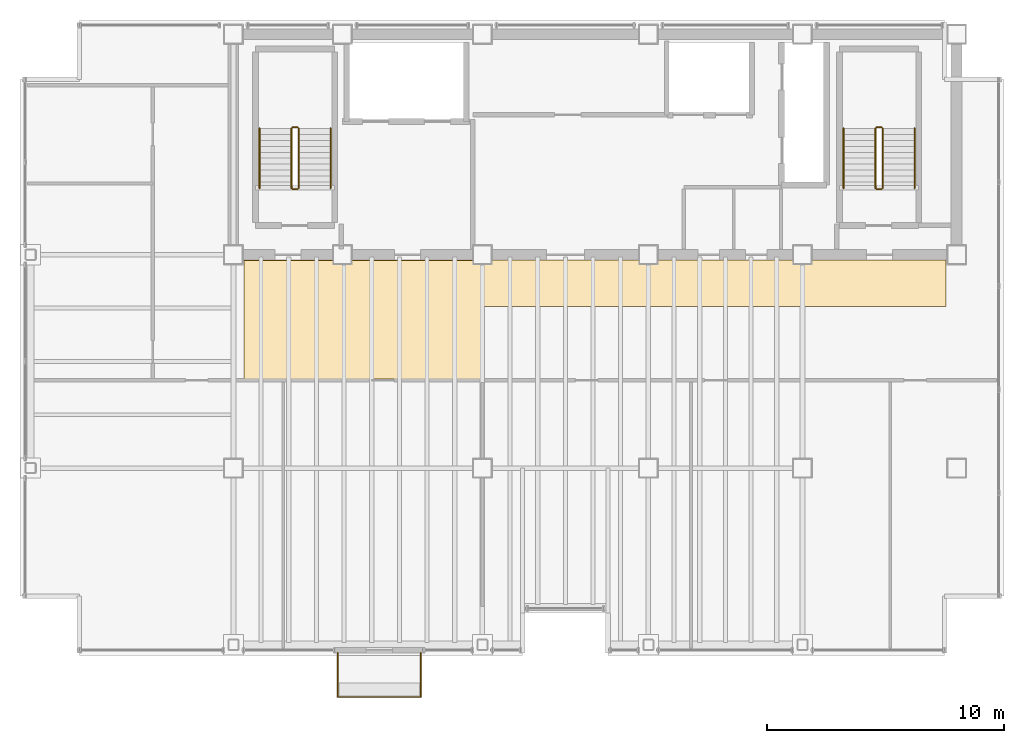
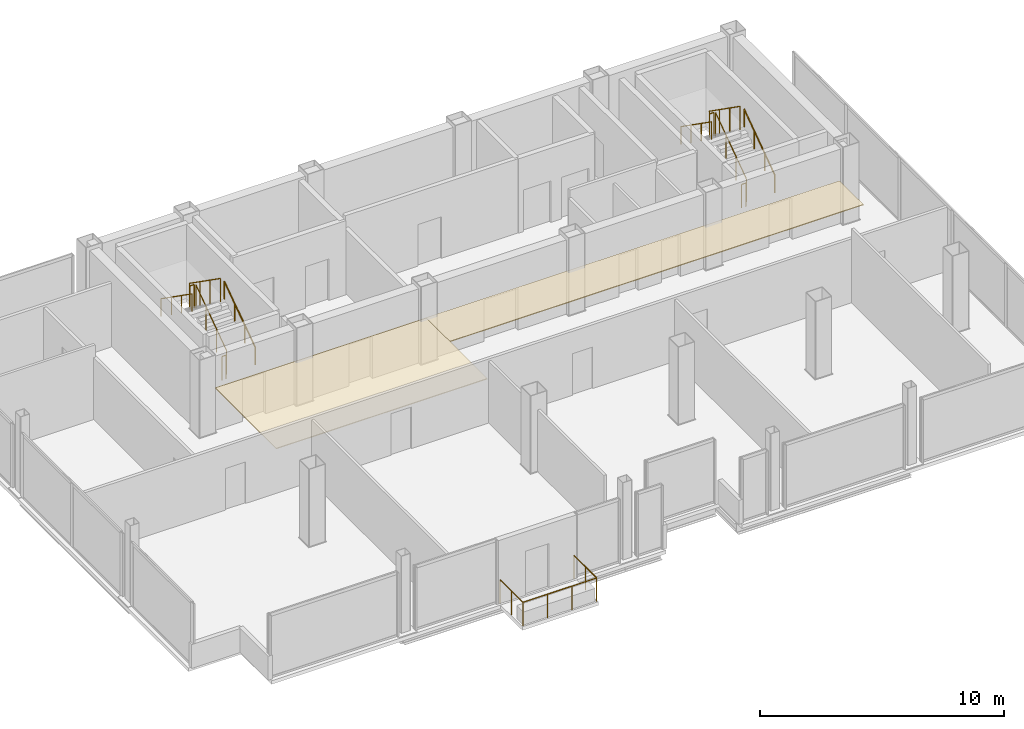
# One storey, part 16 of 16: 13 railings, 2 coverings.
"""IFC4 building model written with IfcOpenShell, lengths in metres."""

from ifc_helpers import new_model, si_unit, direction, frame, origin, origin_2d, place, context, subcontext, project, spatial, polyline, circle, outline, extrude, material, layer, layer_set, type_object, element, save


model = new_model("IFC4")

# Units and contexts
model_context = context("Model", 3, precision=1e-05, world=origin(), true_north=direction((0.0, 1.0)))
body_context = subcontext(model_context, "Body", "Model", "MODEL_VIEW")
ifc_project = project(units=[si_unit("LENGTHUNIT", "METRE"), si_unit("AREAUNIT", "SQUARE_METRE"), si_unit("VOLUMEUNIT", "CUBIC_METRE"), si_unit("PLANEANGLEUNIT", "RADIAN"), si_unit("MASSUNIT", "GRAM", prefix="KILO")], contexts=[model_context])

# Site, building, storey
site_placement = place(None, origin())
site = spatial("IfcSite", under=ifc_project, at=site_placement, CompositionType="ELEMENT")
building_placement = place(site_placement, origin())
building = spatial("IfcBuilding", under=site, at=building_placement, Name="Noeulbin Bourse Tower", CompositionType="ELEMENT")
storey_placement = place(building_placement, frame((0.0, 0.0, 238.39990234375)))
storey = spatial("IfcBuildingStorey", under=building, at=storey_placement, Name="L59", CompositionType="ELEMENT", Elevation=238.39990234375)

# Coverings
ifc_material_1 = material(Name="Perforated Mineral-Fibre Acoustic Tile")
ifc_layer_1 = layer(ifc_material_1, 0.0400390625)
ifc_layer_set_1 = layer_set([ifc_layer_1], Name="Perforated Mineral-Fibre Acoustic Tile")
covering_type_1 = type_object("IfcCoveringType", Name="COV-CEIL-ACT", PredefinedType="CEILING", material=ifc_layer_set_1)
covering_1_placement = place(storey_placement, frame((0.0, 0.0, 2.110107421875)))
element("IfcCovering", 1, at=covering_1_placement, inside=storey, type_object=covering_type_1, Name="Trading Suite Acoustic Ceiling L59", PredefinedType="CEILING", context=body_context, shape_type="SweptSolid", body=[
    extrude(outline(polyline([(13.949951171875, 23.75), (23.949951171875, 23.75), (23.949951171875, 28.75), (13.949951171875, 28.75), (13.949951171875, 23.75)])), origin(), (0.0, 0.0, 1.0), 0.0400390625),
])
ifc_material_2 = material(Name="Linear Anodised Aluminium Baffle Ceiling", Category="aluminium")
ifc_layer_2 = layer(ifc_material_2, 0.050048828125)
ifc_layer_set_2 = layer_set([ifc_layer_2], Name="Linear Anodised Aluminium Baffle Ceiling")
covering_type_2 = type_object("IfcCoveringType", Name="COV-CEIL-MTL", PredefinedType="CEILING", material=ifc_layer_set_2)
covering_2_placement = place(storey_placement, frame((0.0, 0.0, 2.110107421875)))
element("IfcCovering", 2, at=covering_2_placement, inside=storey, type_object=covering_type_2, Name="Corridor Suspended Ceiling L59", PredefinedType="CEILING", context=body_context, shape_type="SweptSolid", body=[
    extrude(outline(polyline([(13.949951171875, 26.820068359375), (43.550048828125, 26.820068359375), (43.550048828125, 28.780029296875), (13.949951171875, 28.780029296875), (13.949951171875, 26.820068359375)])), origin(), (0.0, 0.0, 1.0), 0.0400390625),
])

# Railings
ifc_material_3 = material(Name="Laminated SentryGlas and Stainless Steel 316", Category="steel")
ifc_layer_3 = layer(ifc_material_3, 0.06005859375)
ifc_layer_set_3 = layer_set([ifc_layer_3], Name="Laminated SentryGlas and Stainless Steel 316")
railing_type_1 = type_object("IfcRailingType", Name="RLG-BAL-1200", PredefinedType="BALUSTRADE", material=ifc_layer_set_3)
railing_1_placement = place(storey_placement, frame((17.89990234375, 12.219970703125, 0.0)))
element("IfcRailing", 3, at=railing_1_placement, inside=storey, type_object=railing_type_1, Name="Tree-Balcony Glazed Balustrade L59", PredefinedType="BALUSTRADE", context=body_context, shape_type="SweptSolid", body=[
    extrude(circle(Radius=0.02392578125, at=origin_2d()), frame((0.0, 0.0, 1.17578125), z_axis=(0.0, -1.0, 0.0), x_axis=(1.0, 0.0, 0.0)), (0.0, 0.0, 1.0), 1.869873046875),
    extrude(circle(Radius=0.02392578125, at=origin_2d()), frame((0.0, -1.869873046875, 1.17578125), z_axis=(1.0, 0.0, 0.0), x_axis=(0.0, 1.0, 0.0)), (0.0, 0.0, 1.0), 3.5),
    extrude(circle(Radius=0.02392578125, at=origin_2d()), frame((3.5, -1.869873046875, 1.17578125), z_axis=(0.0, 1.0, 0.0), x_axis=(-1.0, 0.0, 0.0)), (0.0, 0.0, 1.0), 1.869873046875),
    extrude(circle(Radius=0.02099609375, at=origin_2d()), origin(), (0.0, 0.0, 1.0), 1.15185546875),
    extrude(circle(Radius=0.02099609375, at=origin_2d()), frame((0.0, -0.93505859375, 0.0)), (0.0, 0.0, 1.0), 1.15185546875),
    extrude(circle(Radius=0.02099609375, at=origin_2d()), frame((0.0, -1.869873046875, 0.0)), (0.0, 0.0, 1.0), 1.15185546875),
    extrude(circle(Radius=0.02099609375, at=origin_2d()), frame((1.166748046875, -1.869873046875, 0.0)), (0.0, 0.0, 1.0), 1.15185546875),
    extrude(circle(Radius=0.02099609375, at=origin_2d()), frame((2.333251953125, -1.869873046875, 0.0)), (0.0, 0.0, 1.0), 1.15185546875),
    extrude(circle(Radius=0.02099609375, at=origin_2d()), frame((3.5, -1.869873046875, 0.0)), (0.0, 0.0, 1.0), 1.15185546875),
    extrude(circle(Radius=0.02099609375, at=origin_2d()), frame((3.5, -0.93505859375, 0.0)), (0.0, 0.0, 1.0), 1.15185546875),
    extrude(circle(Radius=0.02099609375, at=origin_2d()), frame((3.5, 0.0, 0.0)), (0.0, 0.0, 1.0), 1.15185546875),
])
ifc_material_4 = material(Name="Painted Tubular Steel S355", Category="steel")
ifc_layer_4 = layer(ifc_material_4, 0.048095703125)
ifc_layer_set_4 = layer_set([ifc_layer_4], Name="Painted Tubular Steel S355")
railing_type_2 = type_object("IfcRailingType", Name="RLG-STR-GRD", PredefinedType="GUARDRAIL", material=ifc_layer_set_4)
railing_2_placement = place(storey_placement, frame((16.25, 31.81005859375, 0.177490234375)))
element("IfcRailing", 4, at=railing_2_placement, inside=storey, type_object=railing_type_2, Name="L59 ST-1 stair guard 1", PredefinedType="GUARDRAIL", context=body_context, shape_type="SweptSolid", body=[
    extrude(circle(Radius=0.02392578125, at=origin_2d()), frame((0.0, 0.0, 1.17578125), z_axis=(0.0, 0.817904474719, 0.575354039036), x_axis=(-1.0, 0.0, 0.0)), (0.0, 0.0, 1.0), 3.0810546875),
    extrude(circle(Radius=0.02099609375, at=origin_2d()), origin(), (0.0, 0.0, 1.0), 1.15185546875),
    extrude(circle(Radius=0.02099609375, at=origin_2d()), frame((0.0, 0.840087890625, 0.5908203125)), (0.0, 0.0, 1.0), 1.15185546875),
    extrude(circle(Radius=0.02099609375, at=origin_2d()), frame((0.0, 1.679931640625, 1.181884765625)), (0.0, 0.0, 1.0), 1.15185546875),
    extrude(circle(Radius=0.02099609375, at=origin_2d()), frame((0.0, 2.52001953125, 1.772705078125)), (0.0, 0.0, 1.0), 1.15185546875),
])
railing_3_placement = place(storey_placement, frame((16.199951171875, 34.3798828125, 1.9501953125)))
element("IfcRailing", 5, at=railing_3_placement, inside=storey, type_object=railing_type_2, Name="L59 ST-1 stair guard 2", PredefinedType="GUARDRAIL", context=body_context, shape_type="SweptSolid", body=[
    extrude(circle(Radius=0.02392578125, at=origin_2d()), frame((0.0, 0.0, 1.17578125), z_axis=(-1.0, 0.0, 0.0), x_axis=(0.0, -1.0, 0.0)), (0.0, 0.0, 1.0), 0.199951171875),
    extrude(circle(Radius=0.02099609375, at=origin_2d()), origin(), (0.0, 0.0, 1.0), 1.15185546875),
    extrude(circle(Radius=0.02099609375, at=origin_2d()), frame((-0.199951171875, 0.0, 0.0)), (0.0, 0.0, 1.0), 1.15185546875),
])
railing_4_placement = place(storey_placement, frame((15.949951171875, 34.330078125, 2.12744140625)))
element("IfcRailing", 6, at=railing_4_placement, inside=storey, type_object=railing_type_2, Name="L59 ST-1 stair guard 3", PredefinedType="GUARDRAIL", context=body_context, shape_type="SweptSolid", body=[
    extrude(circle(Radius=0.02392578125, at=origin_2d()), frame((0.0, 0.0, 1.17578125), z_axis=(0.0, -0.817904474719, 0.575354039036), x_axis=(1.0, 0.0, 0.0)), (0.0, 0.0, 1.0), 3.0810546875),
    extrude(circle(Radius=0.02099609375, at=origin_2d()), origin(), (0.0, 0.0, 1.0), 1.15185546875),
    extrude(circle(Radius=0.02099609375, at=origin_2d()), frame((0.0, -0.840087890625, 0.5908203125)), (0.0, 0.0, 1.0), 1.15185546875),
    extrude(circle(Radius=0.02099609375, at=origin_2d()), frame((0.0, -1.679931640625, 1.181884765625)), (0.0, 0.0, 1.0), 1.15185546875),
    extrude(circle(Radius=0.02099609375, at=origin_2d()), frame((0.0, -2.52001953125, 1.772705078125)), (0.0, 0.0, 1.0), 1.15185546875),
])
railing_5_placement = place(storey_placement, frame((16.199951171875, 31.760009765625, 0.0)))
element("IfcRailing", 7, at=railing_5_placement, inside=storey, type_object=railing_type_2, Name="L59 ST-1 stair guard 4", PredefinedType="GUARDRAIL", context=body_context, shape_type="SweptSolid", body=[
    extrude(circle(Radius=0.02392578125, at=origin_2d()), frame((0.0, 0.0, 1.17578125), z_axis=(-1.0, 0.0, 0.0), x_axis=(0.0, -1.0, 0.0)), (0.0, 0.0, 1.0), 0.199951171875),
    extrude(circle(Radius=0.02099609375, at=origin_2d()), origin(), (0.0, 0.0, 1.0), 1.15185546875),
    extrude(circle(Radius=0.02099609375, at=origin_2d()), frame((-0.199951171875, 0.0, 0.0)), (0.0, 0.0, 1.0), 1.15185546875),
])
railing_6_placement = place(storey_placement, frame((40.8798828125, 31.81005859375, 0.177490234375)))
element("IfcRailing", 8, at=railing_6_placement, inside=storey, type_object=railing_type_2, Name="L59 ST-2 stair guard 1", PredefinedType="GUARDRAIL", context=body_context, shape_type="SweptSolid", body=[
    extrude(circle(Radius=0.02392578125, at=origin_2d()), frame((0.0, 0.0, 1.17578125), z_axis=(0.0, 0.817904474719, 0.575354039036), x_axis=(-1.0, 0.0, 0.0)), (0.0, 0.0, 1.0), 3.0810546875),
    extrude(circle(Radius=0.02099609375, at=origin_2d()), origin(), (0.0, 0.0, 1.0), 1.15185546875),
    extrude(circle(Radius=0.02099609375, at=origin_2d()), frame((0.0, 0.840087890625, 0.5908203125)), (0.0, 0.0, 1.0), 1.15185546875),
    extrude(circle(Radius=0.02099609375, at=origin_2d()), frame((0.0, 1.679931640625, 1.181884765625)), (0.0, 0.0, 1.0), 1.15185546875),
    extrude(circle(Radius=0.02099609375, at=origin_2d()), frame((0.0, 2.52001953125, 1.772705078125)), (0.0, 0.0, 1.0), 1.15185546875),
])
railing_7_placement = place(storey_placement, frame((40.830078125, 34.3798828125, 1.9501953125)))
element("IfcRailing", 9, at=railing_7_placement, inside=storey, type_object=railing_type_2, Name="L59 ST-2 stair guard 2", PredefinedType="GUARDRAIL", context=body_context, shape_type="SweptSolid", body=[
    extrude(circle(Radius=0.02392578125, at=origin_2d()), frame((0.0, 0.0, 1.17578125), z_axis=(-1.0, 0.0, 0.0), x_axis=(0.0, -1.0, 0.0)), (0.0, 0.0, 1.0), 0.2001953125),
    extrude(circle(Radius=0.02099609375, at=origin_2d()), origin(), (0.0, 0.0, 1.0), 1.15185546875),
    extrude(circle(Radius=0.02099609375, at=origin_2d()), frame((-0.2001953125, 0.0, 0.0)), (0.0, 0.0, 1.0), 1.15185546875),
])
railing_8_placement = place(storey_placement, frame((40.580078125, 34.330078125, 2.12744140625)))
element("IfcRailing", 10, at=railing_8_placement, inside=storey, type_object=railing_type_2, Name="L59 ST-2 stair guard 3", PredefinedType="GUARDRAIL", context=body_context, shape_type="SweptSolid", body=[
    extrude(circle(Radius=0.02392578125, at=origin_2d()), frame((0.0, 0.0, 1.17578125), z_axis=(0.0, -0.817904474719, 0.575354039036), x_axis=(1.0, 0.0, 0.0)), (0.0, 0.0, 1.0), 3.0810546875),
    extrude(circle(Radius=0.02099609375, at=origin_2d()), origin(), (0.0, 0.0, 1.0), 1.15185546875),
    extrude(circle(Radius=0.02099609375, at=origin_2d()), frame((0.0, -0.840087890625, 0.5908203125)), (0.0, 0.0, 1.0), 1.15185546875),
    extrude(circle(Radius=0.02099609375, at=origin_2d()), frame((0.0, -1.679931640625, 1.181884765625)), (0.0, 0.0, 1.0), 1.15185546875),
    extrude(circle(Radius=0.02099609375, at=origin_2d()), frame((0.0, -2.52001953125, 1.772705078125)), (0.0, 0.0, 1.0), 1.15185546875),
])
railing_9_placement = place(storey_placement, frame((40.830078125, 31.760009765625, 0.0)))
element("IfcRailing", 11, at=railing_9_placement, inside=storey, type_object=railing_type_2, Name="L59 ST-2 stair guard 4", PredefinedType="GUARDRAIL", context=body_context, shape_type="SweptSolid", body=[
    extrude(circle(Radius=0.02392578125, at=origin_2d()), frame((0.0, 0.0, 1.17578125), z_axis=(-1.0, 0.0, 0.0), x_axis=(0.0, -1.0, 0.0)), (0.0, 0.0, 1.0), 0.2001953125),
    extrude(circle(Radius=0.02099609375, at=origin_2d()), origin(), (0.0, 0.0, 1.0), 1.15185546875),
    extrude(circle(Radius=0.02099609375, at=origin_2d()), frame((-0.2001953125, 0.0, 0.0)), (0.0, 0.0, 1.0), 1.15185546875),
])
ifc_material_5 = material(Name="Brushed Stainless Steel 316", Category="steel")
ifc_layer_5 = layer(ifc_material_5, 0.048095703125)
ifc_layer_set_5 = layer_set([ifc_layer_5], Name="Brushed Stainless Steel 316")
railing_type_3 = type_object("IfcRailingType", Name="RLG-STR-HND", PredefinedType="HANDRAIL", material=ifc_layer_set_5)
railing_10_placement = place(storey_placement, frame((17.60009765625, 31.81005859375, 0.177490234375)))
element("IfcRailing", 12, at=railing_10_placement, inside=storey, type_object=railing_type_3, Name="L59 ST-1 stair handrail 1", PredefinedType="HANDRAIL", context=body_context, shape_type="SweptSolid", body=[
    extrude(circle(Radius=0.02392578125, at=origin_2d()), frame((0.0, 0.0, 0.8759765625), z_axis=(0.0, 0.817904474719, 0.575354039036), x_axis=(-1.0, 0.0, 0.0)), (0.0, 0.0, 1.0), 3.0810546875),
    extrude(circle(Radius=0.02099609375, at=origin_2d()), origin(), (0.0, 0.0, 1.0), 0.851806640625),
    extrude(circle(Radius=0.02099609375, at=origin_2d()), frame((0.0, 0.840087890625, 0.5908203125)), (0.0, 0.0, 1.0), 0.851806640625),
    extrude(circle(Radius=0.02099609375, at=origin_2d()), frame((0.0, 1.679931640625, 1.181884765625)), (0.0, 0.0, 1.0), 0.851806640625),
    extrude(circle(Radius=0.02099609375, at=origin_2d()), frame((0.0, 2.52001953125, 1.772705078125)), (0.0, 0.0, 1.0), 0.851806640625),
])
railing_11_placement = place(storey_placement, frame((14.60009765625, 34.330078125, 2.12744140625)))
element("IfcRailing", 13, at=railing_11_placement, inside=storey, type_object=railing_type_3, Name="L59 ST-1 stair handrail 2", PredefinedType="HANDRAIL", context=body_context, shape_type="SweptSolid", body=[
    extrude(circle(Radius=0.02392578125, at=origin_2d()), frame((0.0, 0.0, 0.8759765625), z_axis=(0.0, -0.817904474719, 0.575354039036), x_axis=(1.0, 0.0, 0.0)), (0.0, 0.0, 1.0), 3.0810546875),
    extrude(circle(Radius=0.02099609375, at=origin_2d()), origin(), (0.0, 0.0, 1.0), 0.851806640625),
    extrude(circle(Radius=0.02099609375, at=origin_2d()), frame((0.0, -0.840087890625, 0.5908203125)), (0.0, 0.0, 1.0), 0.851806640625),
    extrude(circle(Radius=0.02099609375, at=origin_2d()), frame((0.0, -1.679931640625, 1.181884765625)), (0.0, 0.0, 1.0), 0.851806640625),
    extrude(circle(Radius=0.02099609375, at=origin_2d()), frame((0.0, -2.52001953125, 1.772705078125)), (0.0, 0.0, 1.0), 0.851806640625),
])
railing_12_placement = place(storey_placement, frame((42.22998046875, 31.81005859375, 0.177490234375)))
element("IfcRailing", 14, at=railing_12_placement, inside=storey, type_object=railing_type_3, Name="L59 ST-2 stair handrail 1", PredefinedType="HANDRAIL", context=body_context, shape_type="SweptSolid", body=[
    extrude(circle(Radius=0.02392578125, at=origin_2d()), frame((0.0, 0.0, 0.8759765625), z_axis=(0.0, 0.817904474719, 0.575354039036), x_axis=(-1.0, 0.0, 0.0)), (0.0, 0.0, 1.0), 3.0810546875),
    extrude(circle(Radius=0.02099609375, at=origin_2d()), origin(), (0.0, 0.0, 1.0), 0.851806640625),
    extrude(circle(Radius=0.02099609375, at=origin_2d()), frame((0.0, 0.840087890625, 0.5908203125)), (0.0, 0.0, 1.0), 0.851806640625),
    extrude(circle(Radius=0.02099609375, at=origin_2d()), frame((0.0, 1.679931640625, 1.181884765625)), (0.0, 0.0, 1.0), 0.851806640625),
    extrude(circle(Radius=0.02099609375, at=origin_2d()), frame((0.0, 2.52001953125, 1.772705078125)), (0.0, 0.0, 1.0), 0.851806640625),
])
railing_13_placement = place(storey_placement, frame((39.22998046875, 34.330078125, 2.12744140625)))
element("IfcRailing", 15, at=railing_13_placement, inside=storey, type_object=railing_type_3, Name="L59 ST-2 stair handrail 2", PredefinedType="HANDRAIL", context=body_context, shape_type="SweptSolid", body=[
    extrude(circle(Radius=0.02392578125, at=origin_2d()), frame((0.0, 0.0, 0.8759765625), z_axis=(0.0, -0.817904474719, 0.575354039036), x_axis=(1.0, 0.0, 0.0)), (0.0, 0.0, 1.0), 3.0810546875),
    extrude(circle(Radius=0.02099609375, at=origin_2d()), origin(), (0.0, 0.0, 1.0), 0.851806640625),
    extrude(circle(Radius=0.02099609375, at=origin_2d()), frame((0.0, -0.840087890625, 0.5908203125)), (0.0, 0.0, 1.0), 0.851806640625),
    extrude(circle(Radius=0.02099609375, at=origin_2d()), frame((0.0, -1.679931640625, 1.181884765625)), (0.0, 0.0, 1.0), 0.851806640625),
    extrude(circle(Radius=0.02099609375, at=origin_2d()), frame((0.0, -2.52001953125, 1.772705078125)), (0.0, 0.0, 1.0), 0.851806640625),
])

save(model, "model.ifc")
